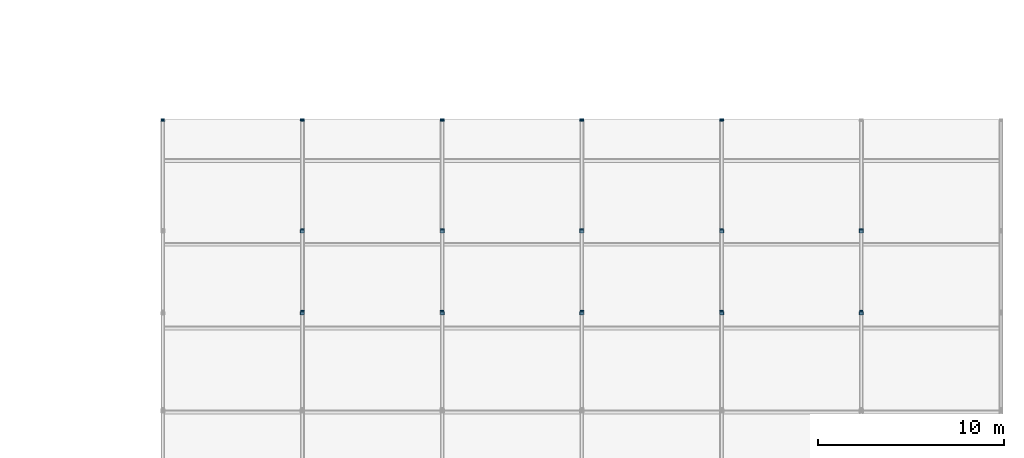
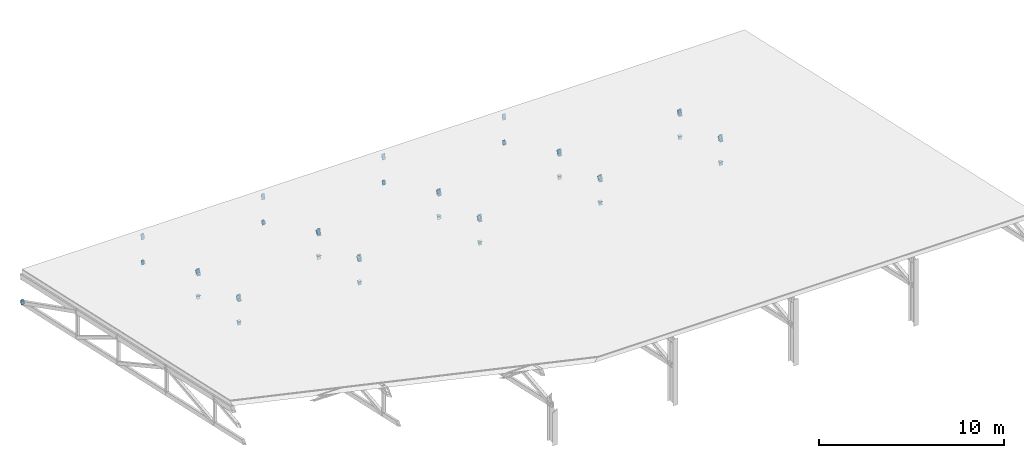
# One storey, part 59 of 77: 74 plates.
"""IFC4 building model written with IfcOpenShell, lengths in metres."""

import ifcopenshell
import ifcopenshell.guid

model = None  # the IFC model being written
_history = None  # IfcOwnerHistory: only IFC2X3 demands one
_inside = {}  # id of a spatial element -> (the spatial element, [elements in it])
_under = {}  # id of a project, library or spatial element -> (it, [spatial elements below it])
_declared = {}  # id of a project -> (the project, [libraries it declares])
_typed = {}  # id of a type object -> (the type object, [elements of that type])
_made_of = {}  # id of a material, layer set ... -> (it, [elements and type objects made of it])


def new_model(schema):
    """Start an empty IFC model of exactly this schema.

    Asked for "IFC4X3", IfcOpenShell would pick the latest addendum, in which some entities
    have other attributes; the version numbers below select the first issue.
    IFC2X3 requires an IfcOwnerHistory on every rooted entity: one is made here for all.
    """
    global model, _history
    if schema == "IFC4X3":
        model = ifcopenshell.file(schema_version=(4, 3, 0, 0))
    else:
        model = ifcopenshell.file(schema=schema)
    _inside.clear()
    _under.clear()
    _declared.clear()
    _typed.clear()
    _made_of.clear()
    _history = None
    if model.schema == "IFC2X3":
        org = make("IfcOrganization", Name="unknown")
        user = make(
            "IfcPersonAndOrganization",
            ThePerson=make("IfcPerson", FamilyName="unknown"),
            TheOrganization=org,
        )
        app = make(
            "IfcApplication",
            ApplicationDeveloper=org,
            Version="unknown",
            ApplicationFullName="unknown",
            ApplicationIdentifier="unknown",
        )
        _history = make(
            "IfcOwnerHistory",
            OwningUser=user,
            OwningApplication=app,
            ChangeAction="ADDED",
            CreationDate=0,
        )
    return model


def make(cls, **values):
    """One entity of the class cls with the attributes given. An attribute that is None is left unset."""
    return model.create_entity(
        cls, **{name: value for name, value in values.items() if value is not None}
    )


def rooted(cls, **values):
    """An entity with a GlobalId (a new one), such as an element, a storey or a relation."""
    return make(cls, GlobalId=ifcopenshell.guid.new(), OwnerHistory=_history, **values)


def si_unit(unit_type, name, prefix=None):
    """IfcSIUnit, for example si_unit("LENGTHUNIT", "METRE", prefix="MILLI")."""
    return make("IfcSIUnit", UnitType=unit_type, Prefix=prefix, Name=name)


def assignment(units):
    """IfcUnitAssignment: the units of a project."""
    return None if units is None else make("IfcUnitAssignment", Units=units)


def point(xyz):
    """IfcCartesianPoint."""
    return None if xyz is None else make("IfcCartesianPoint", Coordinates=xyz)


def direction(xyz):
    """IfcDirection."""
    return None if xyz is None else make("IfcDirection", DirectionRatios=xyz)


def frame(location, z_axis=None, x_axis=None):
    """IfcAxis2Placement3D, a coordinate frame: its origin and axes. An axis left out is left unset."""
    return make(
        "IfcAxis2Placement3D",
        Location=point(location),
        Axis=direction(z_axis),
        RefDirection=direction(x_axis),
    )


def frame_2d(location, x_axis=None):
    """IfcAxis2Placement2D, a coordinate frame in the plane: its origin and x axis."""
    return make(
        "IfcAxis2Placement2D", Location=point(location), RefDirection=direction(x_axis)
    )


def origin():
    """The frame at (0, 0, 0) with its axes left unset."""
    return frame((0.0, 0.0, 0.0))


def origin_2d():
    """The frame at (0, 0) in the plane with its x axis left unset."""
    return frame_2d((0.0, 0.0))


def place(relative_to, where):
    """IfcLocalPlacement: puts the frame where relative to a parent placement (None: the world)."""
    return make(
        "IfcLocalPlacement", PlacementRelTo=relative_to, RelativePlacement=where
    )


def context(
    kind, dimensions, precision=None, world=None, true_north=None, identifier=None
):
    """IfcGeometricRepresentationContext, for example the 3D "Model" context."""
    return make(
        "IfcGeometricRepresentationContext",
        ContextIdentifier=identifier,
        ContextType=kind,
        CoordinateSpaceDimension=dimensions,
        Precision=precision,
        WorldCoordinateSystem=world,
        TrueNorth=true_north,
    )


def subcontext(parent, identifier, kind, view, scale=None):
    """IfcGeometricRepresentationSubContext, for example "Body" below "Model"."""
    return make(
        "IfcGeometricRepresentationSubContext",
        ContextIdentifier=identifier,
        ContextType=kind,
        ParentContext=parent,
        TargetScale=scale,
        TargetView=view,
    )


def project(units=None, contexts=None):
    """IfcProject with its units and contexts."""
    return rooted(
        "IfcProject",
        Name="project",
        RepresentationContexts=contexts,
        UnitsInContext=assignment(units),
    )


def spatial(cls, under=None, at=None, **own):
    """A site, building, storey or space (cls), placed at a placement, below another one or the project."""
    s = rooted(cls, ObjectPlacement=at, **own)
    if under is not None:
        _under.setdefault(under.id(), (under, []))[1].append(s)
    return s


def profile(cls, at=None, kind="AREA", **sizes):
    """A parametric profile (cls). Its sizes go by their IFC names, for example OverallWidth=200.0."""
    return make(cls, ProfileType=kind, Position=at, **sizes)


def rectangle(**sizes):
    """IfcRectangleProfileDef."""
    return profile("IfcRectangleProfileDef", **sizes)


def extrude(swept, where, along, depth):
    """IfcExtrudedAreaSolid: the profile swept, set in the frame where, extruded along a direction by depth."""
    return make(
        "IfcExtrudedAreaSolid",
        SweptArea=swept,
        Position=where,
        ExtrudedDirection=direction(along),
        Depth=depth,
    )


def shape(context_of_items, identifier, shape_type, items):
    """IfcShapeRepresentation: the items that make up one representation, for example the "Body"."""
    return make(
        "IfcShapeRepresentation",
        ContextOfItems=context_of_items,
        RepresentationIdentifier=identifier,
        RepresentationType=shape_type,
        Items=items,
    )


def material(Name=None, Category=None):
    """IfcMaterial."""
    return make("IfcMaterial", Name=Name, Category=Category)


def layer(
    of_material, thickness, ventilated=None, Name=None, Category=None, Priority=None
):
    """IfcMaterialLayer: one layer of a wall or slab, of a material (None: an air gap)."""
    return make(
        "IfcMaterialLayer",
        Material=of_material,
        LayerThickness=thickness,
        IsVentilated=ventilated,
        Name=Name,
        Category=Category,
        Priority=Priority,
    )


def layer_set(layers, Name=None):
    """IfcMaterialLayerSet."""
    return make("IfcMaterialLayerSet", MaterialLayers=layers, LayerSetName=Name)


def made_of(thing, what):
    """Note that an element or type object is made of a material, layer set ...; save() writes the relation."""
    if what is not None:
        _made_of.setdefault(what.id(), (what, []))[1].append(thing)
    return thing


def type_object(cls, material=None, **own):
    """A type object (cls), such as IfcWallType, which elements share."""
    return made_of(rooted(cls, **own), material)


def element(
    cls,
    number,
    at=None,
    inside=None,
    cuts=None,
    type_object=None,
    material=None,
    context=None,
    identifier="Body",
    shape_type=None,
    held_by="IfcProductDefinitionShape",
    body=None,
    shapes=None,
    **own,
):
    """One element of the class cls, such as IfcWall. Its Tag is "e" and its number.

    at: its placement. inside: the storey or other place that contains it. cuts: it is an
    opening in that element (IfcRelVoidsElement). A single representation is given by context,
    identifier, shape_type and body (its items); several are given by shapes. held_by: the class
    of the entity that holds the representations. save() writes the other relations.
    """
    e = rooted(cls, Tag="e%d" % number, ObjectPlacement=at, **own)
    if body is not None:
        shapes = [shape(context, identifier, shape_type, body)]
    if shapes is not None:
        e.Representation = make(held_by, Representations=shapes)
    if inside is not None:
        _inside.setdefault(inside.id(), (inside, []))[1].append(e)
    if cuts is not None:
        rooted(
            "IfcRelVoidsElement", RelatingBuildingElement=cuts, RelatedOpeningElement=e
        )
    if type_object is not None:
        _typed.setdefault(type_object.id(), (type_object, []))[1].append(e)
    return made_of(e, material)


def aggregate(whole, parts):
    """IfcRelAggregates: a whole, such as a stair, and the parts it consists of."""
    return rooted("IfcRelAggregates", RelatingObject=whole, RelatedObjects=parts)


def save(model, path):
    """Write the relations noted so far, then the file.

    IfcRelAggregates (storeys below a building ...), IfcRelContainedInSpatialStructure (elements
    in a storey), IfcRelDefinesByType, IfcRelAssociatesMaterial and IfcRelDeclares: one each for
    every whole, place, type object, material and project.
    """
    for whole, parts in _under.values():
        aggregate(whole, parts)
    for where, things in _inside.values():
        rooted(
            "IfcRelContainedInSpatialStructure",
            RelatedElements=things,
            RelatingStructure=where,
        )
    for kind, things in _typed.values():
        rooted("IfcRelDefinesByType", RelatedObjects=things, RelatingType=kind)
    for what, things in _made_of.values():
        rooted("IfcRelAssociatesMaterial", RelatedObjects=things, RelatingMaterial=what)
    for by, libraries in _declared.values():
        rooted("IfcRelDeclares", RelatingContext=by, RelatedDefinitions=libraries)
    model.write(path)


model = new_model("IFC4")

# Units and contexts
model_context = context("Model", 3, precision=1e-05, world=origin(), true_north=direction((0.0, 1.0)))
body_context = subcontext(model_context, "Body", "Model", "MODEL_VIEW")
ifc_project = project(units=[si_unit("LENGTHUNIT", "METRE"), si_unit("AREAUNIT", "SQUARE_METRE"), si_unit("VOLUMEUNIT", "CUBIC_METRE"), si_unit("PLANEANGLEUNIT", "RADIAN"), si_unit("MASSUNIT", "GRAM", prefix="KILO")], contexts=[model_context])

# Site, building, storey
site_placement = place(None, origin())
site = spatial("IfcSite", under=ifc_project, at=site_placement, CompositionType="ELEMENT")
building_placement = place(site_placement, origin())
building = spatial("IfcBuilding", under=site, at=building_placement, Name="Yukiwa Park Conservatory and Herbarium", CompositionType="ELEMENT")
storey_placement = place(building_placement, frame((0.0, 0.0, 13.199951171875)))
storey = spatial("IfcBuildingStorey", under=building, at=storey_placement, Name="L03", CompositionType="ELEMENT", Elevation=13.199951171875)

# Plates
ifc_material_1 = material(Name="Steel Q355D", Category="steel")
ifc_layer_1 = layer(ifc_material_1, 0.02392578125)
ifc_layer_set_1 = layer_set([ifc_layer_1], Name="Steel Q355D")
plate_type_1 = type_object("IfcPlateType", Name="PL-CAP-24", PredefinedType="USERDEFINED", material=ifc_layer_set_1)
plate_1_placement = place(storey_placement, frame((15.0, 109.186279296875, -4.42333984375), z_axis=(0.0, 0.976900017396, -0.213696878805), x_axis=(-1.0, 0.0, 0.0)))
element("IfcPlate", 1, at=plate_1_placement, inside=storey, type_object=plate_type_1, Name="Hollow section end cap plate CAP-AUBC-1-6B", ObjectType="END CAP PLATE", PredefinedType="USERDEFINED", context=body_context, shape_type="SweptSolid", body=[
    extrude(rectangle(XDim=0.157958984375, YDim=0.30810546875, at=origin_2d()), origin(), (0.0, 0.0, 1.0), 0.02392578125),
])
plate_2_placement = place(storey_placement, frame((15.0, 109.132568359375, -4.39697265625), z_axis=(0.0, 0.894427191, -0.4472135955), x_axis=(-1.0, 0.0, 0.0)))
element("IfcPlate", 2, at=plate_2_placement, inside=storey, type_object=plate_type_1, Name="Hollow section end cap plate CAP-AUDG-1-6B", ObjectType="END CAP PLATE", PredefinedType="USERDEFINED", context=body_context, shape_type="SweptSolid", body=[
    extrude(rectangle(XDim=0.22802734375, YDim=0.22802734375, at=origin_2d()), origin(), (0.0, 0.0, 1.0), 0.02392578125),
])
ifc_material_2 = material(Name="Steel Q355D", Category="steel")
ifc_layer_2 = layer(ifc_material_2, 0.02392578125)
ifc_layer_set_2 = layer_set([ifc_layer_2], Name="Steel Q355D")
plate_type_2 = type_object("IfcPlateType", Name="PL-CAP-24-INT", PredefinedType="USERDEFINED", material=ifc_layer_set_2)
plate_3_placement = place(storey_placement, frame((22.5, 98.760986328125, -0.41064453125), z_axis=(0.0, 0.976900017396, -0.213696878805), x_axis=(-1.0, 0.0, 0.0)))
element("IfcPlate", 3, at=plate_3_placement, inside=storey, type_object=plate_type_2, Name="Hollow section end cap plate CAP-AUTC-2-4B", ObjectType="END CAP PLATE", PredefinedType="USERDEFINED", context=body_context, shape_type="SweptSolid", body=[
    extrude(rectangle(XDim=0.2080078125, YDim=0.35791015625, at=origin_2d()), origin(), (0.0, 0.0, 1.0), 0.02392578125),
])
plate_4_placement = place(storey_placement, frame((22.5, 98.79296875, -2.115478515625), z_axis=(0.0, 0.877505337229, -0.479566870346), x_axis=(-1.0, 0.0, 0.0)))
element("IfcPlate", 4, at=plate_4_placement, inside=storey, type_object=plate_type_2, Name="Hollow section end cap plate CAP-AUDG-2-4B", ObjectType="END CAP PLATE", PredefinedType="USERDEFINED", context=body_context, shape_type="SweptSolid", body=[
    extrude(rectangle(XDim=0.2080078125, YDim=0.2080078125, at=origin_2d()), origin(), (0.0, 0.0, 1.0), 0.02392578125),
])
for number, where, z_axis, x_axis, name in (
    (5, (22.5, 98.839111328125, -0.427978515625), (0.0, -0.976900017396, 0.213696878805), (1.0, 0.0, 0.0), "Hollow section end cap plate CAP-AUTC-2-5A"),
    (6, (22.5, 103.160888671875, -1.385986328125), (0.0, 0.974732318528, -0.223376156329), (-1.0, 0.0, 0.0), "Hollow section end cap plate CAP-AUTC-2-5B"),
):
    element("IfcPlate", number, at=place(storey_placement, frame(where, z_axis=z_axis, x_axis=x_axis)), inside=storey, type_object=plate_type_2, Name=name, ObjectType="END CAP PLATE", PredefinedType="USERDEFINED", context=body_context, shape_type="SweptSolid", body=[
        extrude(rectangle(XDim=0.2080078125, YDim=0.35791015625, at=origin_2d()), origin(), (0.0, 0.0, 1.0), 0.02392578125),
    ])
for number, where, z_axis, x_axis, name in (
    (7, (22.5, 98.91357421875, -0.488525390625), (0.0, -0.854787515222, 0.518978134242), (1.0, 0.0, 0.0), "Hollow section end cap plate CAP-AUDG-2-5A"),
    (8, (22.5, 103.193115234375, -3.090576171875), (0.0, 0.854787515222, -0.518978134242), (-1.0, 0.0, 0.0), "Hollow section end cap plate CAP-AUDG-2-5B"),
):
    element("IfcPlate", number, at=place(storey_placement, frame(where, z_axis=z_axis, x_axis=x_axis)), inside=storey, type_object=plate_type_2, Name=name, ObjectType="END CAP PLATE", PredefinedType="USERDEFINED", context=body_context, shape_type="SweptSolid", body=[
        extrude(rectangle(XDim=0.2080078125, YDim=0.2080078125, at=origin_2d()), origin(), (0.0, 0.0, 1.0), 0.02392578125),
    ])
for number, where, z_axis, x_axis, name in (
    (9, (22.5, 103.239013671875, -1.4033203125), (0.0, -0.976900017396, 0.213696878805), (1.0, 0.0, 0.0), "Hollow section end cap plate CAP-AUTC-2-6A"),
    (10, (22.5, 109.186279296875, -2.72314453125), (0.0, 0.974732318528, -0.223376156329), (-1.0, 0.0, 0.0), "Hollow section end cap plate CAP-AUTC-2-6B"),
):
    element("IfcPlate", number, at=place(storey_placement, frame(where, z_axis=z_axis, x_axis=x_axis)), inside=storey, type_object=plate_type_2, Name=name, ObjectType="END CAP PLATE", PredefinedType="USERDEFINED", context=body_context, shape_type="SweptSolid", body=[
        extrude(rectangle(XDim=0.2080078125, YDim=0.35791015625, at=origin_2d()), origin(), (0.0, 0.0, 1.0), 0.02392578125),
    ])
plate_5_placement = place(storey_placement, frame((22.5, 109.186279296875, -4.42333984375), z_axis=(0.0, 0.976900017396, -0.213696878805), x_axis=(-1.0, 0.0, 0.0)))
element("IfcPlate", 11, at=plate_5_placement, inside=storey, type_object=plate_type_2, Name="Hollow section end cap plate CAP-AUBC-2-6B", ObjectType="END CAP PLATE", PredefinedType="USERDEFINED", context=body_context, shape_type="SweptSolid", body=[
    extrude(rectangle(XDim=0.157958984375, YDim=0.30810546875, at=origin_2d()), origin(), (0.0, 0.0, 1.0), 0.02392578125),
])
for number, where, z_axis, x_axis, name in (
    (12, (22.5, 103.2919921875, -1.441162109375), (0.0, -0.894427191, 0.4472135955), (1.0, 0.0, 0.0), "Hollow section end cap plate CAP-AUDG-2-6A"),
    (13, (22.5, 109.132568359375, -4.39697265625), (0.0, 0.894427191, -0.4472135955), (-1.0, 0.0, 0.0), "Hollow section end cap plate CAP-AUDG-2-6B"),
):
    element("IfcPlate", number, at=place(storey_placement, frame(where, z_axis=z_axis, x_axis=x_axis)), inside=storey, type_object=plate_type_2, Name=name, ObjectType="END CAP PLATE", PredefinedType="USERDEFINED", context=body_context, shape_type="SweptSolid", body=[
        extrude(rectangle(XDim=0.22802734375, YDim=0.22802734375, at=origin_2d()), origin(), (0.0, 0.0, 1.0), 0.02392578125),
    ])
for number, where, z_axis, x_axis, name in (
    (14, (22.5, 98.800048828125, -1.96630859375), (0.0, 0.0, -1.0), (1.0, 0.0, 0.0), "Hollow section end cap plate CAP-AUVP-2-4B"),
    (15, (22.5, 98.800048828125, -0.63330078125), (0.0, 0.0, 1.0), (1.0, 0.0, 0.0), "Hollow section end cap plate CAP-AUVP-2-4T"),
):
    element("IfcPlate", number, at=place(storey_placement, frame(where, z_axis=z_axis, x_axis=x_axis)), inside=storey, type_object=plate_type_2, Name=name, ObjectType="END CAP PLATE", PredefinedType="USERDEFINED", context=body_context, shape_type="SweptSolid", body=[
        extrude(rectangle(XDim=0.18798828125, YDim=0.18798828125, at=origin_2d()), origin(), (0.0, 0.0, 1.0), 0.02392578125),
    ])
plate_6_placement = place(storey_placement, frame((22.5, 103.199951171875, -2.941650390625), z_axis=(0.0, 0.0, -1.0), x_axis=(1.0, 0.0, 0.0)))
element("IfcPlate", 16, at=plate_6_placement, inside=storey, type_object=plate_type_2, Name="Hollow section end cap plate CAP-AUVP-2-5B", ObjectType="END CAP PLATE", PredefinedType="USERDEFINED", context=body_context, shape_type="SweptSolid", body=[
    extrude(rectangle(XDim=0.18798828125, YDim=0.18798828125, at=origin_2d()), origin(), (0.0, 0.0, 1.0), 0.024169921875),
])
plate_7_placement = place(storey_placement, frame((22.5, 103.199951171875, -1.608642578125), z_axis=(0.0, 0.0, 1.0), x_axis=(1.0, 0.0, 0.0)))
element("IfcPlate", 17, at=plate_7_placement, inside=storey, type_object=plate_type_2, Name="Hollow section end cap plate CAP-AUVP-2-5T", ObjectType="END CAP PLATE", PredefinedType="USERDEFINED", context=body_context, shape_type="SweptSolid", body=[
    extrude(rectangle(XDim=0.18798828125, YDim=0.18798828125, at=origin_2d()), origin(), (0.0, 0.0, 1.0), 0.02392578125),
])
plate_8_placement = place(storey_placement, frame((30.0, 98.760986328125, -0.41064453125), z_axis=(0.0, 0.976900017396, -0.213696878805), x_axis=(-1.0, 0.0, 0.0)))
element("IfcPlate", 18, at=plate_8_placement, inside=storey, type_object=plate_type_2, Name="Hollow section end cap plate CAP-AUTC-3-4B", ObjectType="END CAP PLATE", PredefinedType="USERDEFINED", context=body_context, shape_type="SweptSolid", body=[
    extrude(rectangle(XDim=0.2080078125, YDim=0.35791015625, at=origin_2d()), origin(), (0.0, 0.0, 1.0), 0.02392578125),
])
plate_9_placement = place(storey_placement, frame((30.0, 98.79296875, -2.115478515625), z_axis=(0.0, 0.877505337229, -0.479566870346), x_axis=(-1.0, 0.0, 0.0)))
element("IfcPlate", 19, at=plate_9_placement, inside=storey, type_object=plate_type_2, Name="Hollow section end cap plate CAP-AUDG-3-4B", ObjectType="END CAP PLATE", PredefinedType="USERDEFINED", context=body_context, shape_type="SweptSolid", body=[
    extrude(rectangle(XDim=0.2080078125, YDim=0.2080078125, at=origin_2d()), origin(), (0.0, 0.0, 1.0), 0.02392578125),
])
for number, where, z_axis, x_axis, name in (
    (20, (30.0, 98.839111328125, -0.427978515625), (0.0, -0.976900017396, 0.213696878805), (1.0, 0.0, 0.0), "Hollow section end cap plate CAP-AUTC-3-5A"),
    (21, (30.0, 103.160888671875, -1.385986328125), (0.0, 0.974732318528, -0.223376156329), (-1.0, 0.0, 0.0), "Hollow section end cap plate CAP-AUTC-3-5B"),
):
    element("IfcPlate", number, at=place(storey_placement, frame(where, z_axis=z_axis, x_axis=x_axis)), inside=storey, type_object=plate_type_2, Name=name, ObjectType="END CAP PLATE", PredefinedType="USERDEFINED", context=body_context, shape_type="SweptSolid", body=[
        extrude(rectangle(XDim=0.2080078125, YDim=0.35791015625, at=origin_2d()), origin(), (0.0, 0.0, 1.0), 0.02392578125),
    ])
for number, where, z_axis, x_axis, name in (
    (22, (30.0, 98.91357421875, -0.488525390625), (0.0, -0.854787515222, 0.518978134242), (1.0, 0.0, 0.0), "Hollow section end cap plate CAP-AUDG-3-5A"),
    (23, (30.0, 103.193115234375, -3.090576171875), (0.0, 0.854787515222, -0.518978134242), (-1.0, 0.0, 0.0), "Hollow section end cap plate CAP-AUDG-3-5B"),
):
    element("IfcPlate", number, at=place(storey_placement, frame(where, z_axis=z_axis, x_axis=x_axis)), inside=storey, type_object=plate_type_2, Name=name, ObjectType="END CAP PLATE", PredefinedType="USERDEFINED", context=body_context, shape_type="SweptSolid", body=[
        extrude(rectangle(XDim=0.2080078125, YDim=0.2080078125, at=origin_2d()), origin(), (0.0, 0.0, 1.0), 0.02392578125),
    ])
for number, where, z_axis, x_axis, name in (
    (24, (30.0, 103.239013671875, -1.4033203125), (0.0, -0.976900017396, 0.213696878805), (1.0, 0.0, 0.0), "Hollow section end cap plate CAP-AUTC-3-6A"),
    (25, (30.0, 109.186279296875, -2.72314453125), (0.0, 0.974732318528, -0.223376156329), (-1.0, 0.0, 0.0), "Hollow section end cap plate CAP-AUTC-3-6B"),
):
    element("IfcPlate", number, at=place(storey_placement, frame(where, z_axis=z_axis, x_axis=x_axis)), inside=storey, type_object=plate_type_2, Name=name, ObjectType="END CAP PLATE", PredefinedType="USERDEFINED", context=body_context, shape_type="SweptSolid", body=[
        extrude(rectangle(XDim=0.2080078125, YDim=0.35791015625, at=origin_2d()), origin(), (0.0, 0.0, 1.0), 0.02392578125),
    ])
plate_10_placement = place(storey_placement, frame((30.0, 109.186279296875, -4.42333984375), z_axis=(0.0, 0.976900017396, -0.213696878805), x_axis=(-1.0, 0.0, 0.0)))
element("IfcPlate", 26, at=plate_10_placement, inside=storey, type_object=plate_type_2, Name="Hollow section end cap plate CAP-AUBC-3-6B", ObjectType="END CAP PLATE", PredefinedType="USERDEFINED", context=body_context, shape_type="SweptSolid", body=[
    extrude(rectangle(XDim=0.157958984375, YDim=0.30810546875, at=origin_2d()), origin(), (0.0, 0.0, 1.0), 0.02392578125),
])
for number, where, z_axis, x_axis, name in (
    (27, (30.0, 103.2919921875, -1.441162109375), (0.0, -0.894427191, 0.4472135955), (1.0, 0.0, 0.0), "Hollow section end cap plate CAP-AUDG-3-6A"),
    (28, (30.0, 109.132568359375, -4.39697265625), (0.0, 0.894427191, -0.4472135955), (-1.0, 0.0, 0.0), "Hollow section end cap plate CAP-AUDG-3-6B"),
):
    element("IfcPlate", number, at=place(storey_placement, frame(where, z_axis=z_axis, x_axis=x_axis)), inside=storey, type_object=plate_type_2, Name=name, ObjectType="END CAP PLATE", PredefinedType="USERDEFINED", context=body_context, shape_type="SweptSolid", body=[
        extrude(rectangle(XDim=0.22802734375, YDim=0.22802734375, at=origin_2d()), origin(), (0.0, 0.0, 1.0), 0.02392578125),
    ])
for number, where, z_axis, x_axis, name in (
    (29, (30.0, 98.800048828125, -1.96630859375), (0.0, 0.0, -1.0), (1.0, 0.0, 0.0), "Hollow section end cap plate CAP-AUVP-3-4B"),
    (30, (30.0, 98.800048828125, -0.63330078125), (0.0, 0.0, 1.0), (1.0, 0.0, 0.0), "Hollow section end cap plate CAP-AUVP-3-4T"),
):
    element("IfcPlate", number, at=place(storey_placement, frame(where, z_axis=z_axis, x_axis=x_axis)), inside=storey, type_object=plate_type_2, Name=name, ObjectType="END CAP PLATE", PredefinedType="USERDEFINED", context=body_context, shape_type="SweptSolid", body=[
        extrude(rectangle(XDim=0.18798828125, YDim=0.18798828125, at=origin_2d()), origin(), (0.0, 0.0, 1.0), 0.02392578125),
    ])
plate_11_placement = place(storey_placement, frame((30.0, 103.199951171875, -2.941650390625), z_axis=(0.0, 0.0, -1.0), x_axis=(1.0, 0.0, 0.0)))
element("IfcPlate", 31, at=plate_11_placement, inside=storey, type_object=plate_type_2, Name="Hollow section end cap plate CAP-AUVP-3-5B", ObjectType="END CAP PLATE", PredefinedType="USERDEFINED", context=body_context, shape_type="SweptSolid", body=[
    extrude(rectangle(XDim=0.18798828125, YDim=0.18798828125, at=origin_2d()), origin(), (0.0, 0.0, 1.0), 0.024169921875),
])
plate_12_placement = place(storey_placement, frame((30.0, 103.199951171875, -1.608642578125), z_axis=(0.0, 0.0, 1.0), x_axis=(1.0, 0.0, 0.0)))
element("IfcPlate", 32, at=plate_12_placement, inside=storey, type_object=plate_type_2, Name="Hollow section end cap plate CAP-AUVP-3-5T", ObjectType="END CAP PLATE", PredefinedType="USERDEFINED", context=body_context, shape_type="SweptSolid", body=[
    extrude(rectangle(XDim=0.18798828125, YDim=0.18798828125, at=origin_2d()), origin(), (0.0, 0.0, 1.0), 0.02392578125),
])
plate_13_placement = place(storey_placement, frame((37.5, 98.760986328125, -0.41064453125), z_axis=(0.0, 0.976900017396, -0.213696878805), x_axis=(-1.0, 0.0, 0.0)))
element("IfcPlate", 33, at=plate_13_placement, inside=storey, type_object=plate_type_2, Name="Hollow section end cap plate CAP-AUTC-4-4B", ObjectType="END CAP PLATE", PredefinedType="USERDEFINED", context=body_context, shape_type="SweptSolid", body=[
    extrude(rectangle(XDim=0.2080078125, YDim=0.35791015625, at=origin_2d()), origin(), (0.0, 0.0, 1.0), 0.02392578125),
])
plate_14_placement = place(storey_placement, frame((37.5, 98.79296875, -2.115478515625), z_axis=(0.0, 0.877505337229, -0.479566870346), x_axis=(-1.0, 0.0, 0.0)))
element("IfcPlate", 34, at=plate_14_placement, inside=storey, type_object=plate_type_2, Name="Hollow section end cap plate CAP-AUDG-4-4B", ObjectType="END CAP PLATE", PredefinedType="USERDEFINED", context=body_context, shape_type="SweptSolid", body=[
    extrude(rectangle(XDim=0.2080078125, YDim=0.2080078125, at=origin_2d()), origin(), (0.0, 0.0, 1.0), 0.02392578125),
])
for number, where, z_axis, x_axis, name in (
    (35, (37.5, 98.839111328125, -0.427978515625), (0.0, -0.976900017396, 0.213696878805), (1.0, 0.0, 0.0), "Hollow section end cap plate CAP-AUTC-4-5A"),
    (36, (37.5, 103.160888671875, -1.385986328125), (0.0, 0.974732318528, -0.223376156329), (-1.0, 0.0, 0.0), "Hollow section end cap plate CAP-AUTC-4-5B"),
):
    element("IfcPlate", number, at=place(storey_placement, frame(where, z_axis=z_axis, x_axis=x_axis)), inside=storey, type_object=plate_type_2, Name=name, ObjectType="END CAP PLATE", PredefinedType="USERDEFINED", context=body_context, shape_type="SweptSolid", body=[
        extrude(rectangle(XDim=0.2080078125, YDim=0.35791015625, at=origin_2d()), origin(), (0.0, 0.0, 1.0), 0.02392578125),
    ])
for number, where, z_axis, x_axis, name in (
    (37, (37.5, 98.91357421875, -0.488525390625), (0.0, -0.854787515222, 0.518978134242), (1.0, 0.0, 0.0), "Hollow section end cap plate CAP-AUDG-4-5A"),
    (38, (37.5, 103.193115234375, -3.090576171875), (0.0, 0.854787515222, -0.518978134242), (-1.0, 0.0, 0.0), "Hollow section end cap plate CAP-AUDG-4-5B"),
):
    element("IfcPlate", number, at=place(storey_placement, frame(where, z_axis=z_axis, x_axis=x_axis)), inside=storey, type_object=plate_type_2, Name=name, ObjectType="END CAP PLATE", PredefinedType="USERDEFINED", context=body_context, shape_type="SweptSolid", body=[
        extrude(rectangle(XDim=0.2080078125, YDim=0.2080078125, at=origin_2d()), origin(), (0.0, 0.0, 1.0), 0.02392578125),
    ])
for number, where, z_axis, x_axis, name in (
    (39, (37.5, 103.239013671875, -1.4033203125), (0.0, -0.976900017396, 0.213696878805), (1.0, 0.0, 0.0), "Hollow section end cap plate CAP-AUTC-4-6A"),
    (40, (37.5, 109.186279296875, -2.72314453125), (0.0, 0.974732318528, -0.223376156329), (-1.0, 0.0, 0.0), "Hollow section end cap plate CAP-AUTC-4-6B"),
):
    element("IfcPlate", number, at=place(storey_placement, frame(where, z_axis=z_axis, x_axis=x_axis)), inside=storey, type_object=plate_type_2, Name=name, ObjectType="END CAP PLATE", PredefinedType="USERDEFINED", context=body_context, shape_type="SweptSolid", body=[
        extrude(rectangle(XDim=0.2080078125, YDim=0.35791015625, at=origin_2d()), origin(), (0.0, 0.0, 1.0), 0.02392578125),
    ])
plate_15_placement = place(storey_placement, frame((37.5, 109.186279296875, -4.42333984375), z_axis=(0.0, 0.976900017396, -0.213696878805), x_axis=(-1.0, 0.0, 0.0)))
element("IfcPlate", 41, at=plate_15_placement, inside=storey, type_object=plate_type_2, Name="Hollow section end cap plate CAP-AUBC-4-6B", ObjectType="END CAP PLATE", PredefinedType="USERDEFINED", context=body_context, shape_type="SweptSolid", body=[
    extrude(rectangle(XDim=0.157958984375, YDim=0.30810546875, at=origin_2d()), origin(), (0.0, 0.0, 1.0), 0.02392578125),
])
for number, where, z_axis, x_axis, name in (
    (42, (37.5, 103.2919921875, -1.441162109375), (0.0, -0.894427191, 0.4472135955), (1.0, 0.0, 0.0), "Hollow section end cap plate CAP-AUDG-4-6A"),
    (43, (37.5, 109.132568359375, -4.39697265625), (0.0, 0.894427191, -0.4472135955), (-1.0, 0.0, 0.0), "Hollow section end cap plate CAP-AUDG-4-6B"),
):
    element("IfcPlate", number, at=place(storey_placement, frame(where, z_axis=z_axis, x_axis=x_axis)), inside=storey, type_object=plate_type_2, Name=name, ObjectType="END CAP PLATE", PredefinedType="USERDEFINED", context=body_context, shape_type="SweptSolid", body=[
        extrude(rectangle(XDim=0.22802734375, YDim=0.22802734375, at=origin_2d()), origin(), (0.0, 0.0, 1.0), 0.02392578125),
    ])
for number, where, z_axis, x_axis, name in (
    (44, (37.5, 98.800048828125, -1.96630859375), (0.0, 0.0, -1.0), (1.0, 0.0, 0.0), "Hollow section end cap plate CAP-AUVP-4-4B"),
    (45, (37.5, 98.800048828125, -0.63330078125), (0.0, 0.0, 1.0), (1.0, 0.0, 0.0), "Hollow section end cap plate CAP-AUVP-4-4T"),
):
    element("IfcPlate", number, at=place(storey_placement, frame(where, z_axis=z_axis, x_axis=x_axis)), inside=storey, type_object=plate_type_2, Name=name, ObjectType="END CAP PLATE", PredefinedType="USERDEFINED", context=body_context, shape_type="SweptSolid", body=[
        extrude(rectangle(XDim=0.18798828125, YDim=0.18798828125, at=origin_2d()), origin(), (0.0, 0.0, 1.0), 0.02392578125),
    ])
plate_16_placement = place(storey_placement, frame((37.5, 103.199951171875, -2.941650390625), z_axis=(0.0, 0.0, -1.0), x_axis=(1.0, 0.0, 0.0)))
element("IfcPlate", 46, at=plate_16_placement, inside=storey, type_object=plate_type_2, Name="Hollow section end cap plate CAP-AUVP-4-5B", ObjectType="END CAP PLATE", PredefinedType="USERDEFINED", context=body_context, shape_type="SweptSolid", body=[
    extrude(rectangle(XDim=0.18798828125, YDim=0.18798828125, at=origin_2d()), origin(), (0.0, 0.0, 1.0), 0.024169921875),
])
plate_17_placement = place(storey_placement, frame((37.5, 103.199951171875, -1.608642578125), z_axis=(0.0, 0.0, 1.0), x_axis=(1.0, 0.0, 0.0)))
element("IfcPlate", 47, at=plate_17_placement, inside=storey, type_object=plate_type_2, Name="Hollow section end cap plate CAP-AUVP-4-5T", ObjectType="END CAP PLATE", PredefinedType="USERDEFINED", context=body_context, shape_type="SweptSolid", body=[
    extrude(rectangle(XDim=0.18798828125, YDim=0.18798828125, at=origin_2d()), origin(), (0.0, 0.0, 1.0), 0.02392578125),
])
plate_18_placement = place(storey_placement, frame((45.0, 98.760986328125, -0.41064453125), z_axis=(0.0, 0.976900017396, -0.213696878805), x_axis=(-1.0, 0.0, 0.0)))
element("IfcPlate", 48, at=plate_18_placement, inside=storey, type_object=plate_type_2, Name="Hollow section end cap plate CAP-AUTC-5-4B", ObjectType="END CAP PLATE", PredefinedType="USERDEFINED", context=body_context, shape_type="SweptSolid", body=[
    extrude(rectangle(XDim=0.2080078125, YDim=0.35791015625, at=origin_2d()), origin(), (0.0, 0.0, 1.0), 0.02392578125),
])
plate_19_placement = place(storey_placement, frame((45.0, 98.79296875, -2.115478515625), z_axis=(0.0, 0.877505337229, -0.479566870346), x_axis=(-1.0, 0.0, 0.0)))
element("IfcPlate", 49, at=plate_19_placement, inside=storey, type_object=plate_type_2, Name="Hollow section end cap plate CAP-AUDG-5-4B", ObjectType="END CAP PLATE", PredefinedType="USERDEFINED", context=body_context, shape_type="SweptSolid", body=[
    extrude(rectangle(XDim=0.2080078125, YDim=0.2080078125, at=origin_2d()), origin(), (0.0, 0.0, 1.0), 0.02392578125),
])
for number, where, z_axis, x_axis, name in (
    (50, (45.0, 98.839111328125, -0.427978515625), (0.0, -0.976900017396, 0.213696878805), (1.0, 0.0, 0.0), "Hollow section end cap plate CAP-AUTC-5-5A"),
    (51, (45.0, 103.160888671875, -1.385986328125), (0.0, 0.974732318528, -0.223376156329), (-1.0, 0.0, 0.0), "Hollow section end cap plate CAP-AUTC-5-5B"),
):
    element("IfcPlate", number, at=place(storey_placement, frame(where, z_axis=z_axis, x_axis=x_axis)), inside=storey, type_object=plate_type_2, Name=name, ObjectType="END CAP PLATE", PredefinedType="USERDEFINED", context=body_context, shape_type="SweptSolid", body=[
        extrude(rectangle(XDim=0.2080078125, YDim=0.35791015625, at=origin_2d()), origin(), (0.0, 0.0, 1.0), 0.02392578125),
    ])
for number, where, z_axis, x_axis, name in (
    (52, (45.0, 98.91357421875, -0.488525390625), (0.0, -0.854787515222, 0.518978134242), (1.0, 0.0, 0.0), "Hollow section end cap plate CAP-AUDG-5-5A"),
    (53, (45.0, 103.193115234375, -3.090576171875), (0.0, 0.854787515222, -0.518978134242), (-1.0, 0.0, 0.0), "Hollow section end cap plate CAP-AUDG-5-5B"),
):
    element("IfcPlate", number, at=place(storey_placement, frame(where, z_axis=z_axis, x_axis=x_axis)), inside=storey, type_object=plate_type_2, Name=name, ObjectType="END CAP PLATE", PredefinedType="USERDEFINED", context=body_context, shape_type="SweptSolid", body=[
        extrude(rectangle(XDim=0.2080078125, YDim=0.2080078125, at=origin_2d()), origin(), (0.0, 0.0, 1.0), 0.02392578125),
    ])
for number, where, z_axis, x_axis, name in (
    (54, (45.0, 103.239013671875, -1.4033203125), (0.0, -0.976900017396, 0.213696878805), (1.0, 0.0, 0.0), "Hollow section end cap plate CAP-AUTC-5-6A"),
    (55, (45.0, 109.186279296875, -2.72314453125), (0.0, 0.974732318528, -0.223376156329), (-1.0, 0.0, 0.0), "Hollow section end cap plate CAP-AUTC-5-6B"),
):
    element("IfcPlate", number, at=place(storey_placement, frame(where, z_axis=z_axis, x_axis=x_axis)), inside=storey, type_object=plate_type_2, Name=name, ObjectType="END CAP PLATE", PredefinedType="USERDEFINED", context=body_context, shape_type="SweptSolid", body=[
        extrude(rectangle(XDim=0.2080078125, YDim=0.35791015625, at=origin_2d()), origin(), (0.0, 0.0, 1.0), 0.02392578125),
    ])
plate_20_placement = place(storey_placement, frame((45.0, 109.186279296875, -4.42333984375), z_axis=(0.0, 0.976900017396, -0.213696878805), x_axis=(-1.0, 0.0, 0.0)))
element("IfcPlate", 56, at=plate_20_placement, inside=storey, type_object=plate_type_2, Name="Hollow section end cap plate CAP-AUBC-5-6B", ObjectType="END CAP PLATE", PredefinedType="USERDEFINED", context=body_context, shape_type="SweptSolid", body=[
    extrude(rectangle(XDim=0.157958984375, YDim=0.30810546875, at=origin_2d()), origin(), (0.0, 0.0, 1.0), 0.02392578125),
])
for number, where, z_axis, x_axis, name in (
    (57, (45.0, 103.2919921875, -1.441162109375), (0.0, -0.894427191, 0.4472135955), (1.0, 0.0, 0.0), "Hollow section end cap plate CAP-AUDG-5-6A"),
    (58, (45.0, 109.132568359375, -4.39697265625), (0.0, 0.894427191, -0.4472135955), (-1.0, 0.0, 0.0), "Hollow section end cap plate CAP-AUDG-5-6B"),
):
    element("IfcPlate", number, at=place(storey_placement, frame(where, z_axis=z_axis, x_axis=x_axis)), inside=storey, type_object=plate_type_2, Name=name, ObjectType="END CAP PLATE", PredefinedType="USERDEFINED", context=body_context, shape_type="SweptSolid", body=[
        extrude(rectangle(XDim=0.22802734375, YDim=0.22802734375, at=origin_2d()), origin(), (0.0, 0.0, 1.0), 0.02392578125),
    ])
for number, where, z_axis, x_axis, name in (
    (59, (45.0, 98.800048828125, -1.96630859375), (0.0, 0.0, -1.0), (1.0, 0.0, 0.0), "Hollow section end cap plate CAP-AUVP-5-4B"),
    (60, (45.0, 98.800048828125, -0.63330078125), (0.0, 0.0, 1.0), (1.0, 0.0, 0.0), "Hollow section end cap plate CAP-AUVP-5-4T"),
):
    element("IfcPlate", number, at=place(storey_placement, frame(where, z_axis=z_axis, x_axis=x_axis)), inside=storey, type_object=plate_type_2, Name=name, ObjectType="END CAP PLATE", PredefinedType="USERDEFINED", context=body_context, shape_type="SweptSolid", body=[
        extrude(rectangle(XDim=0.18798828125, YDim=0.18798828125, at=origin_2d()), origin(), (0.0, 0.0, 1.0), 0.02392578125),
    ])
plate_21_placement = place(storey_placement, frame((45.0, 103.199951171875, -2.941650390625), z_axis=(0.0, 0.0, -1.0), x_axis=(1.0, 0.0, 0.0)))
element("IfcPlate", 61, at=plate_21_placement, inside=storey, type_object=plate_type_2, Name="Hollow section end cap plate CAP-AUVP-5-5B", ObjectType="END CAP PLATE", PredefinedType="USERDEFINED", context=body_context, shape_type="SweptSolid", body=[
    extrude(rectangle(XDim=0.18798828125, YDim=0.18798828125, at=origin_2d()), origin(), (0.0, 0.0, 1.0), 0.024169921875),
])
plate_22_placement = place(storey_placement, frame((45.0, 103.199951171875, -1.608642578125), z_axis=(0.0, 0.0, 1.0), x_axis=(1.0, 0.0, 0.0)))
element("IfcPlate", 62, at=plate_22_placement, inside=storey, type_object=plate_type_2, Name="Hollow section end cap plate CAP-AUVP-5-5T", ObjectType="END CAP PLATE", PredefinedType="USERDEFINED", context=body_context, shape_type="SweptSolid", body=[
    extrude(rectangle(XDim=0.18798828125, YDim=0.18798828125, at=origin_2d()), origin(), (0.0, 0.0, 1.0), 0.02392578125),
])
plate_23_placement = place(storey_placement, frame((52.5, 98.760986328125, -0.41064453125), z_axis=(0.0, 0.976900017396, -0.213696878805), x_axis=(-1.0, 0.0, 0.0)))
element("IfcPlate", 63, at=plate_23_placement, inside=storey, type_object=plate_type_2, Name="Hollow section end cap plate CAP-AUTC-6-4B", ObjectType="END CAP PLATE", PredefinedType="USERDEFINED", context=body_context, shape_type="SweptSolid", body=[
    extrude(rectangle(XDim=0.2080078125, YDim=0.35791015625, at=origin_2d()), origin(), (0.0, 0.0, 1.0), 0.02392578125),
])
plate_24_placement = place(storey_placement, frame((52.5, 98.79296875, -2.115478515625), z_axis=(0.0, 0.877505337229, -0.479566870346), x_axis=(-1.0, 0.0, 0.0)))
element("IfcPlate", 64, at=plate_24_placement, inside=storey, type_object=plate_type_2, Name="Hollow section end cap plate CAP-AUDG-6-4B", ObjectType="END CAP PLATE", PredefinedType="USERDEFINED", context=body_context, shape_type="SweptSolid", body=[
    extrude(rectangle(XDim=0.2080078125, YDim=0.2080078125, at=origin_2d()), origin(), (0.0, 0.0, 1.0), 0.02392578125),
])
for number, where, z_axis, x_axis, name in (
    (65, (52.5, 98.839111328125, -0.427978515625), (0.0, -0.976900017396, 0.213696878805), (1.0, 0.0, 0.0), "Hollow section end cap plate CAP-AUTC-6-5A"),
    (66, (52.5, 103.160888671875, -1.385986328125), (0.0, 0.974732318528, -0.223376156329), (-1.0, 0.0, 0.0), "Hollow section end cap plate CAP-AUTC-6-5B"),
):
    element("IfcPlate", number, at=place(storey_placement, frame(where, z_axis=z_axis, x_axis=x_axis)), inside=storey, type_object=plate_type_2, Name=name, ObjectType="END CAP PLATE", PredefinedType="USERDEFINED", context=body_context, shape_type="SweptSolid", body=[
        extrude(rectangle(XDim=0.2080078125, YDim=0.35791015625, at=origin_2d()), origin(), (0.0, 0.0, 1.0), 0.02392578125),
    ])
for number, where, z_axis, x_axis, name in (
    (67, (52.5, 98.91357421875, -0.488525390625), (0.0, -0.854787515222, 0.518978134242), (1.0, 0.0, 0.0), "Hollow section end cap plate CAP-AUDG-6-5A"),
    (68, (52.5, 103.193115234375, -3.090576171875), (0.0, 0.854787515222, -0.518978134242), (-1.0, 0.0, 0.0), "Hollow section end cap plate CAP-AUDG-6-5B"),
):
    element("IfcPlate", number, at=place(storey_placement, frame(where, z_axis=z_axis, x_axis=x_axis)), inside=storey, type_object=plate_type_2, Name=name, ObjectType="END CAP PLATE", PredefinedType="USERDEFINED", context=body_context, shape_type="SweptSolid", body=[
        extrude(rectangle(XDim=0.2080078125, YDim=0.2080078125, at=origin_2d()), origin(), (0.0, 0.0, 1.0), 0.02392578125),
    ])
plate_25_placement = place(storey_placement, frame((52.5, 103.239013671875, -1.4033203125), z_axis=(0.0, -0.976900017396, 0.213696878805), x_axis=(1.0, 0.0, 0.0)))
element("IfcPlate", 69, at=plate_25_placement, inside=storey, type_object=plate_type_2, Name="Hollow section end cap plate CAP-AUTC-6-6A", ObjectType="END CAP PLATE", PredefinedType="USERDEFINED", context=body_context, shape_type="SweptSolid", body=[
    extrude(rectangle(XDim=0.2080078125, YDim=0.35791015625, at=origin_2d()), origin(), (0.0, 0.0, 1.0), 0.02392578125),
])
plate_26_placement = place(storey_placement, frame((52.5, 103.2919921875, -1.441162109375), z_axis=(0.0, -0.894427191, 0.4472135955), x_axis=(1.0, 0.0, 0.0)))
element("IfcPlate", 70, at=plate_26_placement, inside=storey, type_object=plate_type_2, Name="Hollow section end cap plate CAP-AUDG-6-6A", ObjectType="END CAP PLATE", PredefinedType="USERDEFINED", context=body_context, shape_type="SweptSolid", body=[
    extrude(rectangle(XDim=0.22802734375, YDim=0.22802734375, at=origin_2d()), origin(), (0.0, 0.0, 1.0), 0.02392578125),
])
for number, where, z_axis, x_axis, name in (
    (71, (52.5, 98.800048828125, -1.96630859375), (0.0, 0.0, -1.0), (1.0, 0.0, 0.0), "Hollow section end cap plate CAP-AUVP-6-4B"),
    (72, (52.5, 98.800048828125, -0.63330078125), (0.0, 0.0, 1.0), (1.0, 0.0, 0.0), "Hollow section end cap plate CAP-AUVP-6-4T"),
):
    element("IfcPlate", number, at=place(storey_placement, frame(where, z_axis=z_axis, x_axis=x_axis)), inside=storey, type_object=plate_type_2, Name=name, ObjectType="END CAP PLATE", PredefinedType="USERDEFINED", context=body_context, shape_type="SweptSolid", body=[
        extrude(rectangle(XDim=0.18798828125, YDim=0.18798828125, at=origin_2d()), origin(), (0.0, 0.0, 1.0), 0.02392578125),
    ])
plate_27_placement = place(storey_placement, frame((52.5, 103.199951171875, -2.941650390625), z_axis=(0.0, 0.0, -1.0), x_axis=(1.0, 0.0, 0.0)))
element("IfcPlate", 73, at=plate_27_placement, inside=storey, type_object=plate_type_2, Name="Hollow section end cap plate CAP-AUVP-6-5B", ObjectType="END CAP PLATE", PredefinedType="USERDEFINED", context=body_context, shape_type="SweptSolid", body=[
    extrude(rectangle(XDim=0.18798828125, YDim=0.18798828125, at=origin_2d()), origin(), (0.0, 0.0, 1.0), 0.024169921875),
])
plate_28_placement = place(storey_placement, frame((52.5, 103.199951171875, -1.608642578125), z_axis=(0.0, 0.0, 1.0), x_axis=(1.0, 0.0, 0.0)))
element("IfcPlate", 74, at=plate_28_placement, inside=storey, type_object=plate_type_2, Name="Hollow section end cap plate CAP-AUVP-6-5T", ObjectType="END CAP PLATE", PredefinedType="USERDEFINED", context=body_context, shape_type="SweptSolid", body=[
    extrude(rectangle(XDim=0.18798828125, YDim=0.18798828125, at=origin_2d()), origin(), (0.0, 0.0, 1.0), 0.02392578125),
])

save(model, "model.ifc")
